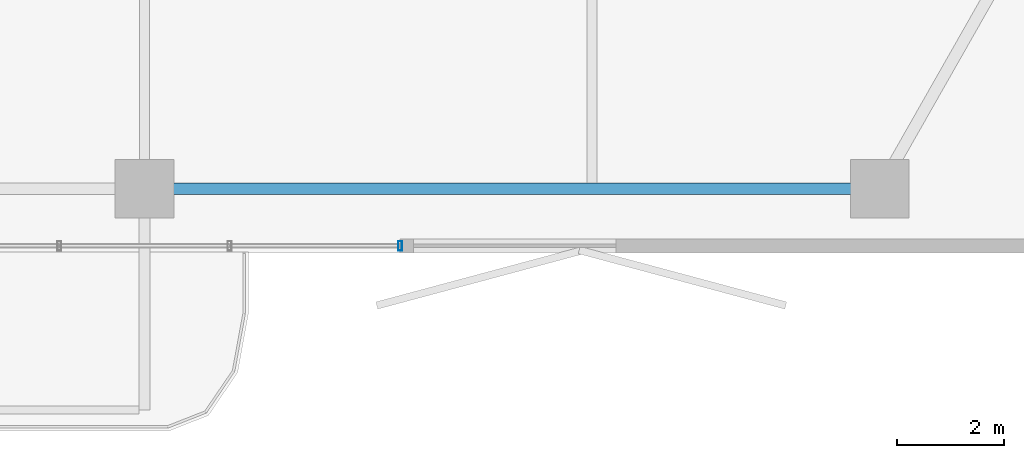
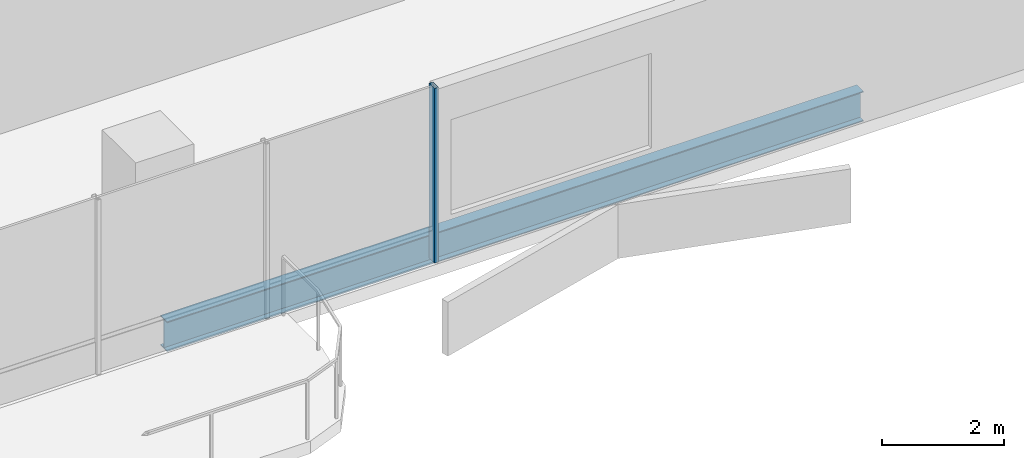
# One storey, part 6 of 23: 1 beam, 1 member, 1 element without a shape of its own.
"""IFC4 building model written with IfcOpenShell, lengths in metres."""

from ifc_helpers import new_model, si_unit, direction, frame, origin, origin_2d, place, context, subcontext, project, spatial, hollow_rectangle, i_section, extrude, material, layer, layer_set, material_profile, profile_set, type_object, element, aggregate, save


model = new_model("IFC4")

# Units and contexts
model_context = context("Model", 3, precision=1e-05, world=origin(), true_north=direction((0.0, 1.0)))
body_context = subcontext(model_context, "Body", "Model", "MODEL_VIEW")
ifc_project = project(units=[si_unit("LENGTHUNIT", "METRE"), si_unit("AREAUNIT", "SQUARE_METRE"), si_unit("VOLUMEUNIT", "CUBIC_METRE"), si_unit("PLANEANGLEUNIT", "RADIAN"), si_unit("MASSUNIT", "GRAM", prefix="KILO")], contexts=[model_context])

# Site, building, storey
site_placement = place(None, origin())
site = spatial("IfcSite", under=ifc_project, at=site_placement, CompositionType="ELEMENT")
building_placement = place(site_placement, origin())
building = spatial("IfcBuilding", under=site, at=building_placement, Name="Belovzor Exchange Tower", CompositionType="ELEMENT")
storey_placement = place(building_placement, frame((0.0, 0.0, 229.949951171875)))
storey = spatial("IfcBuildingStorey", under=building, at=storey_placement, Name="L57", CompositionType="ELEMENT", Elevation=229.949951171875)

# Curtain wall, member
ifc_material_1 = material(Name="Anodised Aluminium Framing", Category="aluminium")
ifc_layer = layer(ifc_material_1, 0.179931640625)
ifc_layer_set = layer_set([ifc_layer], Name="Anodised Aluminium Framing")
curtain_wall_type = type_object("IfcCurtainWallType", Name="Recessed Loggia Low-Iron Triple-Glazed Curtain Wall", PredefinedType="NOTDEFINED", material=ifc_layer_set)
curtain_wall_placement = place(storey_placement, origin())
curtain_wall = element("IfcCurtainWall", 1, at=curtain_wall_placement, inside=storey, type_object=curtain_wall_type, Name="CW3 Recessed Loggia Low-Iron Triple-Glazed Curtain Wall L57", PredefinedType="NOTDEFINED")
ifc_material_2 = material(Name="Steel S355", Category="steel")
ifc_material_profile_1 = material_profile(ifc_material_2, hollow_rectangle(XDim=0.074951171875, YDim=0.179931640625, WallThickness=0.0048828125, at=origin_2d()))
ifc_profile_set_1 = profile_set([ifc_material_profile_1], Name="Steel S355")
member_type = type_object("IfcMemberType", Name="Thermally Broken Curtain Wall Mullion 180x75", PredefinedType="MULLION", material=ifc_profile_set_1)
member_placement = place(storey_placement, frame((33.60009765625, 1.929931640625, 0.0), z_axis=(0.0, 0.0, 1.0), x_axis=(-1.0, 0.0, 0.0)))
member = element("IfcMember", 2, at=member_placement, type_object=member_type, Name="CW-M180 Curtain Wall Mullion 1", PredefinedType="MULLION", context=body_context, shape_type="SweptSolid", body=[
    extrude(hollow_rectangle(XDim=0.074951171875, YDim=0.179931640625, WallThickness=0.0048828125, at=origin_2d()), origin(), (0.0, 0.0, 1.0), 3.5),
])
aggregate(curtain_wall, [member])

# Beam
ifc_material_3 = material(Name="Steel S355", Category="steel")
ifc_material_profile_2 = material_profile(ifc_material_3, i_section(OverallWidth=0.219970703125, OverallDepth=0.60009765625, WebThickness=0.011962890625, FlangeThickness=0.01904296875, at=origin_2d()))
ifc_profile_set_2 = profile_set([ifc_material_profile_2], Name="Steel S355")
beam_type = type_object("IfcBeamType", Name="Zone 4 Flare Primary Girder IPE 600", PredefinedType="BEAM", material=ifc_profile_set_2)
beam_placement = place(storey_placement, frame((29.10205078125, 3.0, -0.550048828125), z_axis=(1.0, 0.0, 0.0), x_axis=(0.0, 1.0, 0.0)))
element("IfcBeam", 3, at=beam_placement, inside=storey, type_object=beam_type, Name="FG-Z4 Zone 4 Flare Primary Girder IPE 600", PredefinedType="BEAM", context=body_context, shape_type="SweptSolid", body=[
    extrude(i_section(OverallWidth=0.219970703125, OverallDepth=0.60009765625, WebThickness=0.011962890625, FlangeThickness=0.01904296875, at=origin_2d()), origin(), (0.0, 0.0, 1.0), 13.195068359375),
])

save(model, "model.ifc")
